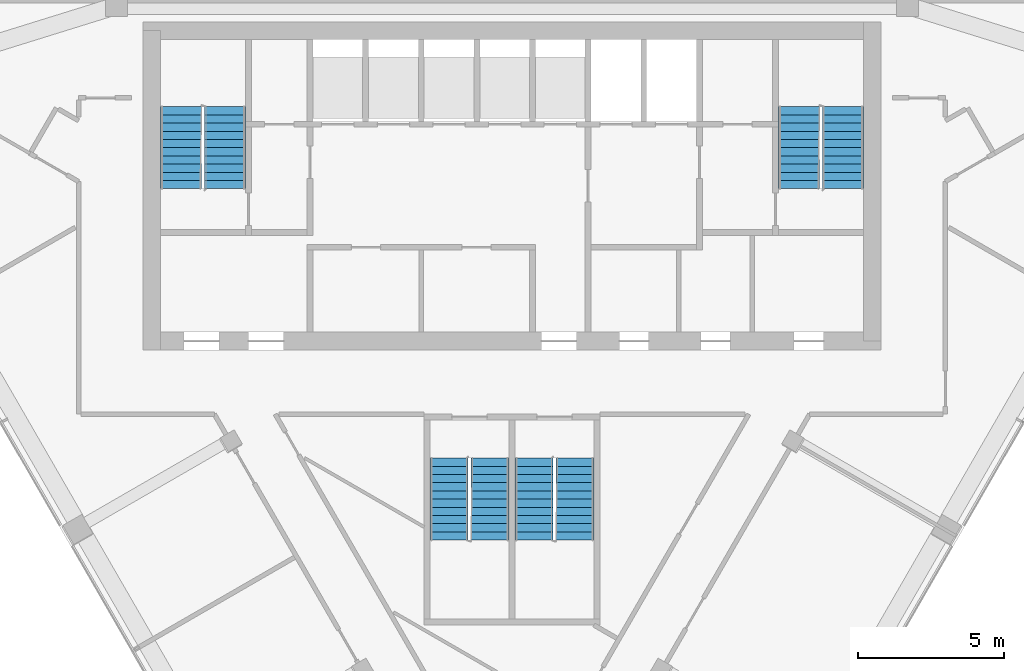
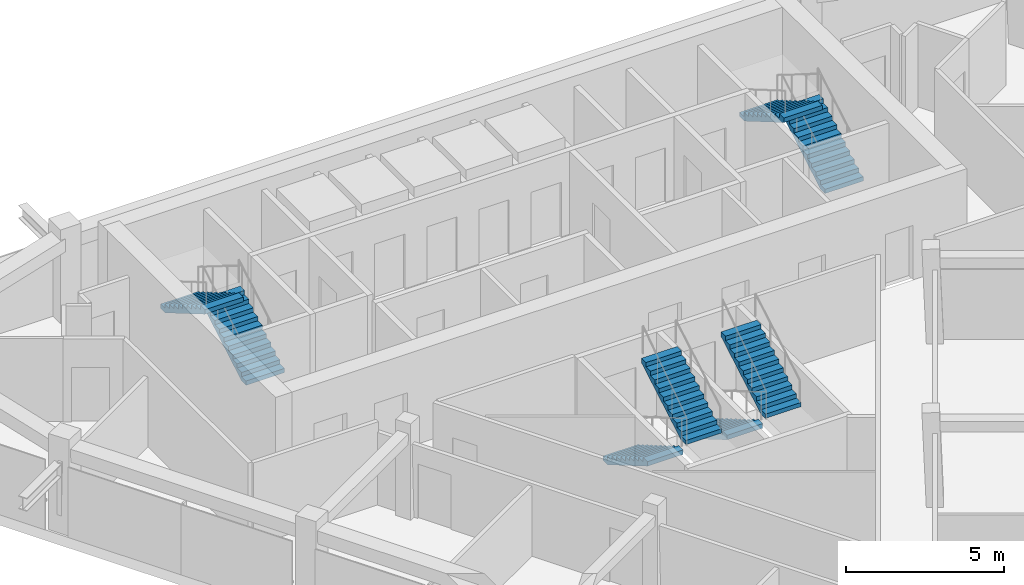
# One storey, part 10 of 12: 8 stair flights, 4 elements without a shape of their own.
"""IFC4 building model written with IfcOpenShell, lengths in metres."""

from ifc_helpers import new_model, si_unit, direction, frame, origin, place, context, subcontext, project, spatial, polyline, outline, extrude, material, type_object, element, aggregate, save


model = new_model("IFC4")

# Units and contexts
model_context = context("Model", 3, precision=1e-05, world=origin(), true_north=direction((0.0, 1.0)))
body_context = subcontext(model_context, "Body", "Model", "MODEL_VIEW")
ifc_project = project(units=[si_unit("LENGTHUNIT", "METRE"), si_unit("AREAUNIT", "SQUARE_METRE"), si_unit("VOLUMEUNIT", "CUBIC_METRE"), si_unit("PLANEANGLEUNIT", "RADIAN"), si_unit("MASSUNIT", "GRAM", prefix="KILO")], contexts=[model_context])

# Site, building, storey
site_placement = place(None, origin())
site = spatial("IfcSite", under=ifc_project, at=site_placement, CompositionType="ELEMENT")
building_placement = place(site_placement, origin())
building = spatial("IfcBuilding", under=site, at=building_placement, Name="Altiplano Prism Tower", CompositionType="ELEMENT")
storey_placement = place(building_placement, frame((0.0, 0.0, 260.800048828125)))
storey = spatial("IfcBuildingStorey", under=building, at=storey_placement, Name="L67", CompositionType="ELEMENT", Elevation=260.800048828125)

# Stair, stair flights
ifc_material = material(Name="Concrete C40/50", Category="concrete")
stair_type_1 = type_object("IfcStairType", Name="Exit stair 1400", PredefinedType="HALF_TURN_STAIR", material=ifc_material)
stair_1_placement = place(storey_placement, origin())
stair_1 = element("IfcStair", 1, at=stair_1_placement, inside=storey, type_object=stair_type_1, Name="L67 Exit Stair 1", PredefinedType="HALF_TURN_STAIR")
stair_flight_type = type_object("IfcStairFlightType", Name="Stair flight concrete 150", PredefinedType="STRAIGHT", material=ifc_material)
stair_flight_1_placement = place(storey_placement, frame((75.199951171875, 98.300048828125, 0.0), z_axis=(0.0, 0.0, 1.0), x_axis=(0.0, 1.0, 0.0)))
stair_flight_1 = element("IfcStairFlight", 2, at=stair_flight_1_placement, type_object=stair_flight_type, Name="ST1 flight 1", NumberOfRisers=11, NumberOfTreads=10, PredefinedType="STRAIGHT", RiserHeight=0.163636364, TreadLength=0.28, context=body_context, shape_type="SweptSolid", body=[
    extrude(outline(polyline([(0.0, 0.0), (0.0, 0.16357421875), (0.280029296875, 0.16357421875), (0.280029296875, 0.327392578125), (0.56005859375, 0.327392578125), (0.56005859375, 0.490966796875), (0.840087890625, 0.490966796875), (0.840087890625, 0.654541015625), (1.1201171875, 0.654541015625), (1.1201171875, 0.818115234375), (1.39990234375, 0.818115234375), (1.39990234375, 0.98193359375), (1.679931640625, 0.98193359375), (1.679931640625, 1.1455078125), (1.9599609375, 1.1455078125), (1.9599609375, 1.30908203125), (2.239990234375, 1.30908203125), (2.239990234375, 1.47265625), (2.52001953125, 1.47265625), (2.52001953125, 1.636474609375), (2.800048828125, 1.636474609375), (2.800048828125, 1.800048828125), (2.800048828125, 1.462646484375), (0.297119140625, 0.0), (0.0, 0.0)])), frame((0.0, 0.699951171875, 0.0), z_axis=(0.0, -1.0, 0.0), x_axis=(1.0, 0.0, 0.0)), (0.0, 0.0, 1.0), 1.39990234375),
])
stair_flight_2_placement = place(storey_placement, frame((73.699951171875, 101.10009765625, 1.800048828125), z_axis=(0.0, 0.0, 1.0), x_axis=(0.0, -1.0, 0.0)))
stair_flight_2 = element("IfcStairFlight", 3, at=stair_flight_2_placement, type_object=stair_flight_type, Name="ST1 flight 2", NumberOfRisers=11, NumberOfTreads=10, PredefinedType="STRAIGHT", RiserHeight=0.163636364, TreadLength=0.28, context=body_context, shape_type="SweptSolid", body=[
    extrude(outline(polyline([(0.0, 0.0), (0.0, 0.16357421875), (0.280029296875, 0.16357421875), (0.280029296875, 0.327392578125), (0.56005859375, 0.327392578125), (0.56005859375, 0.490966796875), (0.840087890625, 0.490966796875), (0.840087890625, 0.654541015625), (1.1201171875, 0.654541015625), (1.1201171875, 0.818115234375), (1.39990234375, 0.818115234375), (1.39990234375, 0.98193359375), (1.679931640625, 0.98193359375), (1.679931640625, 1.1455078125), (1.9599609375, 1.1455078125), (1.9599609375, 1.30908203125), (2.239990234375, 1.30908203125), (2.239990234375, 1.47265625), (2.52001953125, 1.47265625), (2.52001953125, 1.636474609375), (2.800048828125, 1.636474609375), (2.800048828125, 1.800048828125), (2.800048828125, 1.462646484375), (0.297119140625, 0.0), (0.0, 0.0)])), frame((0.0, 0.699951171875, 0.0), z_axis=(0.0, -1.0, 0.0), x_axis=(1.0, 0.0, 0.0)), (0.0, 0.0, 1.0), 1.39990234375),
])
aggregate(stair_1, [stair_flight_1, stair_flight_2])

stair_2_placement = place(storey_placement, origin())
stair_2 = element("IfcStair", 4, at=stair_2_placement, inside=storey, type_object=stair_type_1, Name="L67 Exit Stair 2", PredefinedType="HALF_TURN_STAIR")
stair_flight_3_placement = place(storey_placement, frame((96.300048828125, 98.300048828125, 0.0), z_axis=(0.0, 0.0, 1.0), x_axis=(0.0, 1.0, 0.0)))
stair_flight_3 = element("IfcStairFlight", 5, at=stair_flight_3_placement, type_object=stair_flight_type, Name="ST2 flight 1", NumberOfRisers=11, NumberOfTreads=10, PredefinedType="STRAIGHT", RiserHeight=0.163636364, TreadLength=0.28, context=body_context, shape_type="SweptSolid", body=[
    extrude(outline(polyline([(0.0, 0.0), (0.0, 0.16357421875), (0.280029296875, 0.16357421875), (0.280029296875, 0.327392578125), (0.56005859375, 0.327392578125), (0.56005859375, 0.490966796875), (0.840087890625, 0.490966796875), (0.840087890625, 0.654541015625), (1.1201171875, 0.654541015625), (1.1201171875, 0.818115234375), (1.39990234375, 0.818115234375), (1.39990234375, 0.98193359375), (1.679931640625, 0.98193359375), (1.679931640625, 1.1455078125), (1.9599609375, 1.1455078125), (1.9599609375, 1.30908203125), (2.239990234375, 1.30908203125), (2.239990234375, 1.47265625), (2.52001953125, 1.47265625), (2.52001953125, 1.636474609375), (2.800048828125, 1.636474609375), (2.800048828125, 1.800048828125), (2.800048828125, 1.462646484375), (0.297119140625, 0.0), (0.0, 0.0)])), frame((0.0, 0.699951171875, 0.0), z_axis=(0.0, -1.0, 0.0), x_axis=(1.0, 0.0, 0.0)), (0.0, 0.0, 1.0), 1.39990234375),
])
stair_flight_4_placement = place(storey_placement, frame((94.800048828125, 101.10009765625, 1.800048828125), z_axis=(0.0, 0.0, 1.0), x_axis=(0.0, -1.0, 0.0)))
stair_flight_4 = element("IfcStairFlight", 6, at=stair_flight_4_placement, type_object=stair_flight_type, Name="ST2 flight 2", NumberOfRisers=11, NumberOfTreads=10, PredefinedType="STRAIGHT", RiserHeight=0.163636364, TreadLength=0.28, context=body_context, shape_type="SweptSolid", body=[
    extrude(outline(polyline([(0.0, 0.0), (0.0, 0.16357421875), (0.280029296875, 0.16357421875), (0.280029296875, 0.327392578125), (0.56005859375, 0.327392578125), (0.56005859375, 0.490966796875), (0.840087890625, 0.490966796875), (0.840087890625, 0.654541015625), (1.1201171875, 0.654541015625), (1.1201171875, 0.818115234375), (1.39990234375, 0.818115234375), (1.39990234375, 0.98193359375), (1.679931640625, 0.98193359375), (1.679931640625, 1.1455078125), (1.9599609375, 1.1455078125), (1.9599609375, 1.30908203125), (2.239990234375, 1.30908203125), (2.239990234375, 1.47265625), (2.52001953125, 1.47265625), (2.52001953125, 1.636474609375), (2.800048828125, 1.636474609375), (2.800048828125, 1.800048828125), (2.800048828125, 1.462646484375), (0.297119140625, 0.0), (0.0, 0.0)])), frame((0.0, 0.699951171875, 0.0), z_axis=(0.0, -1.0, 0.0), x_axis=(1.0, 0.0, 0.0)), (0.0, 0.0, 1.0), 1.39990234375),
])
aggregate(stair_2, [stair_flight_3, stair_flight_4])

stair_type_2 = type_object("IfcStairType", Name="Exit stair 1300", PredefinedType="HALF_TURN_STAIR", material=ifc_material)
stair_3_placement = place(storey_placement, origin())
stair_3 = element("IfcStair", 7, at=stair_3_placement, inside=storey, type_object=stair_type_2, Name="L67 Exit Stair 3A", PredefinedType="HALF_TURN_STAIR")
stair_flight_5_placement = place(storey_placement, frame((82.85009765625, 89.10009765625, 0.0), z_axis=(0.0, 0.0, 1.0), x_axis=(0.0, -1.0, 0.0)))
stair_flight_5 = element("IfcStairFlight", 8, at=stair_flight_5_placement, type_object=stair_flight_type, Name="ST3A flight 1", NumberOfRisers=11, NumberOfTreads=10, PredefinedType="STRAIGHT", RiserHeight=0.163636364, TreadLength=0.28, context=body_context, shape_type="SweptSolid", body=[
    extrude(outline(polyline([(0.0, 0.0), (0.0, 0.16357421875), (0.280029296875, 0.16357421875), (0.280029296875, 0.327392578125), (0.56005859375, 0.327392578125), (0.56005859375, 0.490966796875), (0.840087890625, 0.490966796875), (0.840087890625, 0.654541015625), (1.1201171875, 0.654541015625), (1.1201171875, 0.818115234375), (1.39990234375, 0.818115234375), (1.39990234375, 0.98193359375), (1.679931640625, 0.98193359375), (1.679931640625, 1.1455078125), (1.9599609375, 1.1455078125), (1.9599609375, 1.30908203125), (2.239990234375, 1.30908203125), (2.239990234375, 1.47265625), (2.52001953125, 1.47265625), (2.52001953125, 1.636474609375), (2.800048828125, 1.636474609375), (2.800048828125, 1.800048828125), (2.800048828125, 1.462646484375), (0.297119140625, 0.0), (0.0, 0.0)])), frame((0.0, 0.64990234375, 0.0), z_axis=(0.0, -1.0, 0.0), x_axis=(1.0, 0.0, 0.0)), (0.0, 0.0, 1.0), 1.300048828125),
])
stair_flight_6_placement = place(storey_placement, frame((84.25, 86.300048828125, 1.800048828125), z_axis=(0.0, 0.0, 1.0), x_axis=(0.0, 1.0, 0.0)))
stair_flight_6 = element("IfcStairFlight", 9, at=stair_flight_6_placement, type_object=stair_flight_type, Name="ST3A flight 2", NumberOfRisers=11, NumberOfTreads=10, PredefinedType="STRAIGHT", RiserHeight=0.163636364, TreadLength=0.28, context=body_context, shape_type="SweptSolid", body=[
    extrude(outline(polyline([(0.0, 0.0), (0.0, 0.16357421875), (0.280029296875, 0.16357421875), (0.280029296875, 0.327392578125), (0.56005859375, 0.327392578125), (0.56005859375, 0.490966796875), (0.840087890625, 0.490966796875), (0.840087890625, 0.654541015625), (1.1201171875, 0.654541015625), (1.1201171875, 0.818115234375), (1.39990234375, 0.818115234375), (1.39990234375, 0.98193359375), (1.679931640625, 0.98193359375), (1.679931640625, 1.1455078125), (1.9599609375, 1.1455078125), (1.9599609375, 1.30908203125), (2.239990234375, 1.30908203125), (2.239990234375, 1.47265625), (2.52001953125, 1.47265625), (2.52001953125, 1.636474609375), (2.800048828125, 1.636474609375), (2.800048828125, 1.800048828125), (2.800048828125, 1.462646484375), (0.297119140625, 0.0), (0.0, 0.0)])), frame((0.0, 0.64990234375, 0.0), z_axis=(0.0, -1.0, 0.0), x_axis=(1.0, 0.0, 0.0)), (0.0, 0.0, 1.0), 1.300048828125),
])
aggregate(stair_3, [stair_flight_5, stair_flight_6])

stair_4_placement = place(storey_placement, origin())
stair_4 = element("IfcStair", 10, at=stair_4_placement, inside=storey, type_object=stair_type_2, Name="L67 Exit Stair 3B", PredefinedType="HALF_TURN_STAIR")
stair_flight_7_placement = place(storey_placement, frame((85.75, 89.10009765625, 0.0), z_axis=(0.0, 0.0, 1.0), x_axis=(0.0, -1.0, 0.0)))
stair_flight_7 = element("IfcStairFlight", 11, at=stair_flight_7_placement, type_object=stair_flight_type, Name="ST3B flight 1", NumberOfRisers=11, NumberOfTreads=10, PredefinedType="STRAIGHT", RiserHeight=0.163636364, TreadLength=0.28, context=body_context, shape_type="SweptSolid", body=[
    extrude(outline(polyline([(0.0, 0.0), (0.0, 0.16357421875), (0.280029296875, 0.16357421875), (0.280029296875, 0.327392578125), (0.56005859375, 0.327392578125), (0.56005859375, 0.490966796875), (0.840087890625, 0.490966796875), (0.840087890625, 0.654541015625), (1.1201171875, 0.654541015625), (1.1201171875, 0.818115234375), (1.39990234375, 0.818115234375), (1.39990234375, 0.98193359375), (1.679931640625, 0.98193359375), (1.679931640625, 1.1455078125), (1.9599609375, 1.1455078125), (1.9599609375, 1.30908203125), (2.239990234375, 1.30908203125), (2.239990234375, 1.47265625), (2.52001953125, 1.47265625), (2.52001953125, 1.636474609375), (2.800048828125, 1.636474609375), (2.800048828125, 1.800048828125), (2.800048828125, 1.462646484375), (0.297119140625, 0.0), (0.0, 0.0)])), frame((0.0, 0.64990234375, 0.0), z_axis=(0.0, -1.0, 0.0), x_axis=(1.0, 0.0, 0.0)), (0.0, 0.0, 1.0), 1.300048828125),
])
stair_flight_8_placement = place(storey_placement, frame((87.14990234375, 86.300048828125, 1.800048828125), z_axis=(0.0, 0.0, 1.0), x_axis=(0.0, 1.0, 0.0)))
stair_flight_8 = element("IfcStairFlight", 12, at=stair_flight_8_placement, type_object=stair_flight_type, Name="ST3B flight 2", NumberOfRisers=11, NumberOfTreads=10, PredefinedType="STRAIGHT", RiserHeight=0.163636364, TreadLength=0.28, context=body_context, shape_type="SweptSolid", body=[
    extrude(outline(polyline([(0.0, 0.0), (0.0, 0.16357421875), (0.280029296875, 0.16357421875), (0.280029296875, 0.327392578125), (0.56005859375, 0.327392578125), (0.56005859375, 0.490966796875), (0.840087890625, 0.490966796875), (0.840087890625, 0.654541015625), (1.1201171875, 0.654541015625), (1.1201171875, 0.818115234375), (1.39990234375, 0.818115234375), (1.39990234375, 0.98193359375), (1.679931640625, 0.98193359375), (1.679931640625, 1.1455078125), (1.9599609375, 1.1455078125), (1.9599609375, 1.30908203125), (2.239990234375, 1.30908203125), (2.239990234375, 1.47265625), (2.52001953125, 1.47265625), (2.52001953125, 1.636474609375), (2.800048828125, 1.636474609375), (2.800048828125, 1.800048828125), (2.800048828125, 1.462646484375), (0.297119140625, 0.0), (0.0, 0.0)])), frame((0.0, 0.64990234375, 0.0), z_axis=(0.0, -1.0, 0.0), x_axis=(1.0, 0.0, 0.0)), (0.0, 0.0, 1.0), 1.300048828125),
])
aggregate(stair_4, [stair_flight_7, stair_flight_8])

save(model, "model.ifc")
